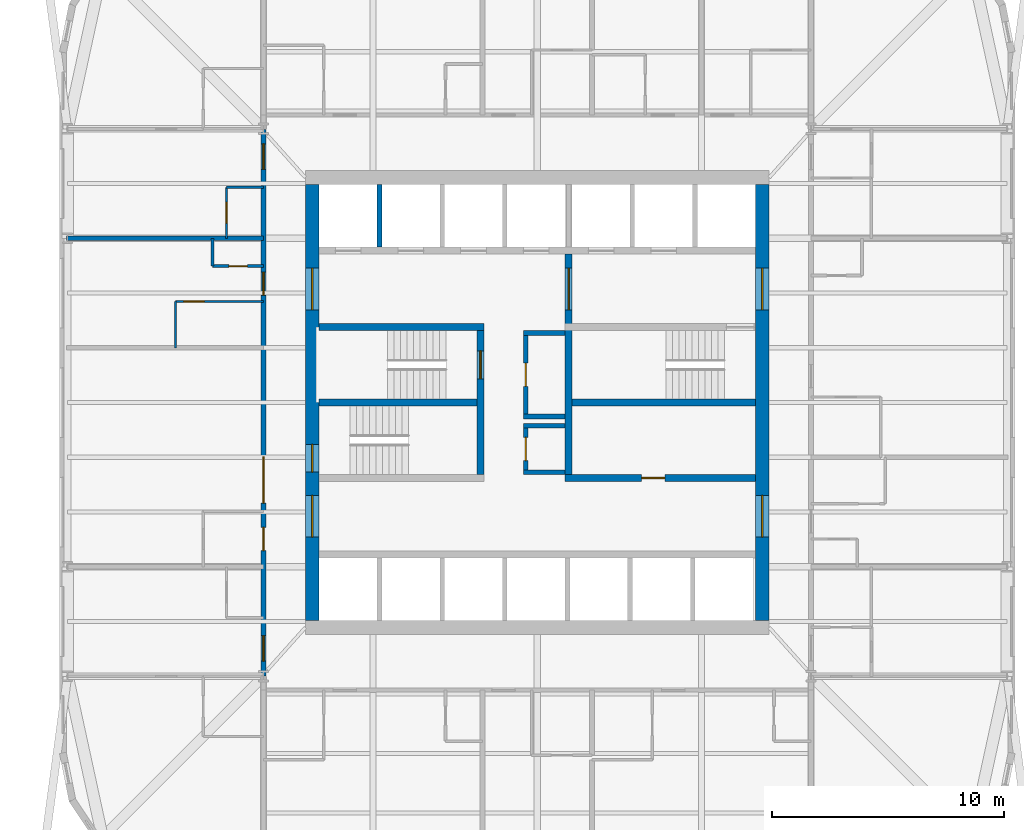
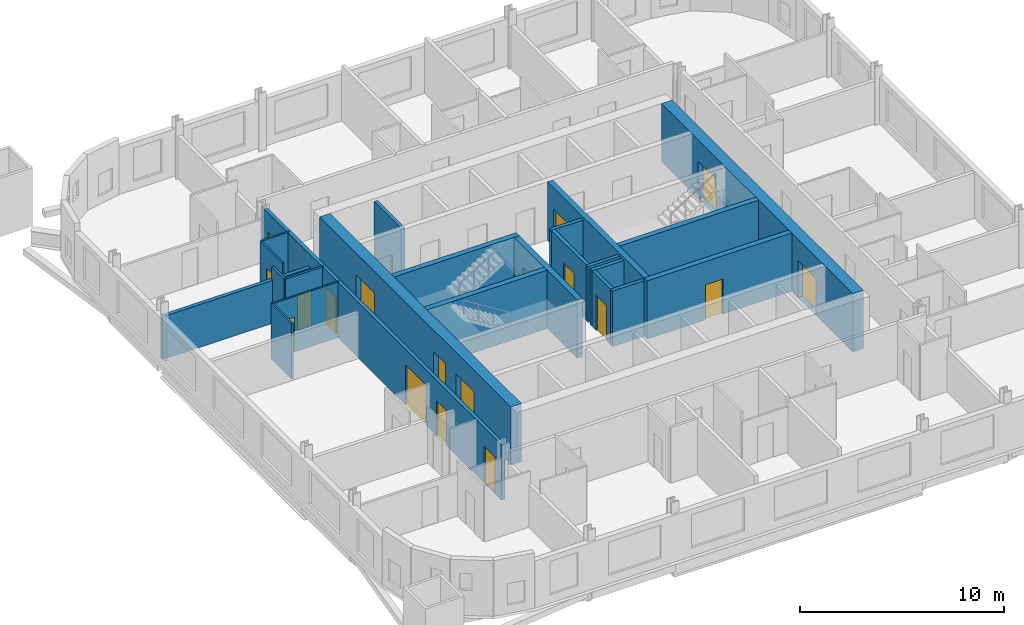
# One storey, part 4 of 9: 23 walls, 18 doors, 18 openings.
"""IFC4 building model written with IfcOpenShell, lengths in metres."""

from ifc_helpers import new_model, si_unit, direction, frame, frame_2d, origin, place, context, subcontext, project, spatial, rectangle, extrude, material, layer, layer_set, type_object, element, fill, save


model = new_model("IFC4")

# Units and contexts
model_context = context("Model", 3, precision=1e-05, world=origin(), true_north=direction((0.0, 1.0)))
body_context = subcontext(model_context, "Body", "Model", "MODEL_VIEW")
ifc_project = project(units=[si_unit("LENGTHUNIT", "METRE"), si_unit("AREAUNIT", "SQUARE_METRE"), si_unit("VOLUMEUNIT", "CUBIC_METRE"), si_unit("PLANEANGLEUNIT", "RADIAN"), si_unit("MASSUNIT", "GRAM", prefix="KILO")], contexts=[model_context])

# Site, building, storey
site_placement = place(None, origin())
site = spatial("IfcSite", under=ifc_project, at=site_placement, CompositionType="ELEMENT")
building_placement = place(site_placement, origin())
building = spatial("IfcBuilding", under=site, at=building_placement, Name="Turquesa Mirador Hotel Tower", CompositionType="ELEMENT")
storey_placement = place(building_placement, frame((0.0, 0.0, 96.89990234375)))
storey = spatial("IfcBuildingStorey", under=building, at=storey_placement, Name="L25", CompositionType="ELEMENT", Elevation=96.89990234375)

# Wall, opening, door
ifc_material_1 = material(Name="Gypsum board on steel studs", Category="steel")
ifc_layer_1 = layer(ifc_material_1, 0.10009765625)
ifc_layer_set_1 = layer_set([ifc_layer_1], Name="BATHROOM WALL 100")
wall_type_1 = type_object("IfcWallType", Name="BATHROOM WALL 100", PredefinedType="PARTITIONING", material=ifc_layer_set_1)
wall_1_placement = place(storey_placement, frame((39.39990234375, 49.360107421875, 0.0), z_axis=(0.0, 0.0, 1.0), x_axis=(1.0, 0.0, 0.0)))
wall_1 = element("IfcWall", 1, at=wall_1_placement, inside=storey, type_object=wall_type_1, Name="Partition L25 032", PredefinedType="PARTITIONING", context=body_context, shape_type="SweptSolid", body=[
    extrude(rectangle(XDim=3.800048828125, YDim=0.10009765625, at=frame_2d((1.89990234375, 0.0))), origin(), (0.0, 0.0, 1.0), 3.330078125),
])
opening_1_placement = place(wall_1_placement, frame((0.35009765625, 0.0, 0.0)))
opening_1 = element("IfcOpeningElement", 2, at=opening_1_placement, cuts=wall_1, Name="Opening D02", PredefinedType="OPENING", context=body_context, shape_type="SweptSolid", body=[
    extrude(rectangle(XDim=0.89990234375, YDim=2.10009765625, at=frame_2d((0.449951171875, 1.050048828125))), frame((0.0, 0.06005859375, 0.0), z_axis=(0.0, -1.0, 0.0), x_axis=(1.0, 0.0, 0.0)), (0.0, 0.0, 1.0), 0.1201171875),
])
ifc_material_2 = material(Name="Timber veneered door", Category="wood")
door_type_1 = type_object("IfcDoorType", Name="DOOR 900X2100 EN-SUITE", OperationType="SINGLE_SWING_RIGHT", PredefinedType="DOOR", material=ifc_material_2)
door_1_placement = place(opening_1_placement, origin())
door_1 = element("IfcDoor", 3, at=door_1_placement, inside=storey, type_object=door_type_1, Name="Door 2510B", OperationType="SINGLE_SWING_RIGHT", OverallHeight=2.10009765625, OverallWidth=0.89990234375, PredefinedType="DOOR", context=body_context, shape_type="SweptSolid", body=[
    extrude(rectangle(XDim=0.89990234375, YDim=2.10009765625, at=frame_2d((0.449951171875, 1.050048828125))), frame((0.0, 0.02490234375, 0.0), z_axis=(0.0, -1.0, 0.0), x_axis=(1.0, 0.0, 0.0)), (0.0, 0.0, 1.0), 0.050048828125),
])
fill(opening_1, door_1)

# Wall
wall_2_placement = place(storey_placement, frame((41.60009765625, 54.280029296875, 0.0), z_axis=(0.0, 0.0, 1.0), x_axis=(1.0, 0.0, 0.0)))
element("IfcWall", 4, at=wall_2_placement, inside=storey, type_object=wall_type_1, Name="Partition L25 037", PredefinedType="PARTITIONING", context=body_context, shape_type="SweptSolid", body=[
    extrude(rectangle(XDim=1.599853515625, YDim=0.10009765625, at=frame_2d((0.7998046875, 0.0))), origin(), (0.0, 0.0, 1.0), 3.330078125),
])

# Wall, opening, door
wall_3_placement = place(storey_placement, frame((41.60009765625, 52.080078125, 0.0), z_axis=(0.0, 0.0, 1.0), x_axis=(0.0, 1.0, 0.0)))
wall_3 = element("IfcWall", 5, at=wall_3_placement, inside=storey, type_object=wall_type_1, Name="Partition L25 045", PredefinedType="PARTITIONING", context=body_context, shape_type="SweptSolid", body=[
    extrude(rectangle(XDim=2.199951171875, YDim=0.10009765625, at=frame_2d((1.10009765625, 0.0))), origin(), (0.0, 0.0, 1.0), 3.330078125),
])
opening_2_placement = place(wall_3_placement, frame((0.64990234375, 0.0, 0.0)))
opening_2 = element("IfcOpeningElement", 6, at=opening_2_placement, cuts=wall_3, Name="Opening D06", PredefinedType="OPENING", context=body_context, shape_type="SweptSolid", body=[
    extrude(rectangle(XDim=0.89990234375, YDim=2.10009765625, at=frame_2d((0.449951171875, 1.050048828125))), frame((0.0, 0.06005859375, 0.0), z_axis=(0.0, -1.0, 0.0), x_axis=(1.0, 0.0, 0.0)), (0.0, 0.0, 1.0), 0.1201171875),
])
ifc_material_3 = material(Name="Laminate door", Category="wood")
door_type_2 = type_object("IfcDoorType", Name="DOOR 900X2100 WC", OperationType="SINGLE_SWING_LEFT", PredefinedType="DOOR", material=ifc_material_3)
door_2_placement = place(opening_2_placement, origin())
door_2 = element("IfcDoor", 7, at=door_2_placement, inside=storey, type_object=door_type_2, Name="Door 2512W", OperationType="SINGLE_SWING_LEFT", OverallHeight=2.10009765625, OverallWidth=0.89990234375, PredefinedType="DOOR", context=body_context, shape_type="SweptSolid", body=[
    extrude(rectangle(XDim=0.89990234375, YDim=2.10009765625, at=frame_2d((0.449951171875, 1.050048828125))), frame((0.0, 0.02490234375, 0.0), z_axis=(0.0, -1.0, 0.0), x_axis=(1.0, 0.0, 0.0)), (0.0, 0.0, 1.0), 0.050048828125),
])
fill(opening_2, door_2)

# Walls
wall_4_placement = place(storey_placement, frame((39.39990234375, 47.360107421875, 0.0), z_axis=(0.0, 0.0, 1.0), x_axis=(0.0, 1.0, 0.0)))
element("IfcWall", 8, at=wall_4_placement, inside=storey, type_object=wall_type_1, Name="Partition L25 050", PredefinedType="PARTITIONING", context=body_context, shape_type="SweptSolid", body=[
    extrude(rectangle(XDim=2.0, YDim=0.10009765625, at=frame_2d((1.0, 0.0))), origin(), (0.0, 0.0, 1.0), 3.330078125),
])
ifc_material_4 = material(Name="Concrete C50/60", Category="concrete")
ifc_layer_2 = layer(ifc_material_4, 0.300048828125)
ifc_layer_set_2 = layer_set([ifc_layer_2], Name="CORE INNER WALL 300")
wall_type_2 = type_object("IfcWallType", Name="CORE INNER WALL 300", PredefinedType="SHEAR", material=ifc_layer_set_2)
wall_5_placement = place(storey_placement, frame((45.60009765625, 48.25, 0.0), z_axis=(0.0, 0.0, 1.0), x_axis=(1.0, 0.0, 0.0)))
element("IfcWall", 9, at=wall_5_placement, inside=storey, type_object=wall_type_2, Name="Core wall MN-W", PredefinedType="SHEAR", context=body_context, shape_type="SweptSolid", body=[
    extrude(rectangle(XDim=7.099853515625, YDim=0.300048828125, at=frame_2d((3.5498046875, 0.0))), origin(), (0.0, 0.0, 1.0), 3.5),
])

# Wall, opening, door
wall_6_placement = place(storey_placement, frame((56.199951171875, 41.75, 0.0), z_axis=(0.0, 0.0, 1.0), x_axis=(1.0, 0.0, 0.0)))
wall_6 = element("IfcWall", 10, at=wall_6_placement, inside=storey, type_object=wall_type_2, Name="Core wall MS-E", PredefinedType="SHEAR", context=body_context, shape_type="SweptSolid", body=[
    extrude(rectangle(XDim=8.199951171875, YDim=0.300048828125, at=frame_2d((4.10009765625, 0.0))), origin(), (0.0, 0.0, 1.0), 3.5),
])
opening_3_placement = place(wall_6_placement, frame((3.300048828125, 0.0, 0.0)))
opening_3 = element("IfcOpeningElement", 11, at=opening_3_placement, cuts=wall_6, Name="Opening D05", PredefinedType="OPENING", context=body_context, shape_type="SweptSolid", body=[
    extrude(rectangle(XDim=1.0, YDim=2.10009765625, at=frame_2d((0.5, 1.050048828125))), frame((0.0, 0.159912109375, 0.0), z_axis=(0.0, -1.0, 0.0), x_axis=(1.0, 0.0, 0.0)), (0.0, 0.0, 1.0), 0.320068359375),
])
ifc_material_5 = material(Name="Steel fire door", Category="steel")
door_type_3 = type_object("IfcDoorType", Name="DOOR 1000X2100 SERVICE", OperationType="SINGLE_SWING_LEFT", PredefinedType="DOOR", material=ifc_material_5)
door_3_placement = place(opening_3_placement, origin())
door_3 = element("IfcDoor", 12, at=door_3_placement, inside=storey, type_object=door_type_3, Name="Housekeeping room door", OperationType="SINGLE_SWING_LEFT", OverallHeight=2.10009765625, OverallWidth=1.0, PredefinedType="DOOR", context=body_context, shape_type="SweptSolid", body=[
    extrude(rectangle(XDim=1.0, YDim=2.10009765625, at=frame_2d((0.5, 1.050048828125))), frame((0.0, 0.02490234375, 0.0), z_axis=(0.0, -1.0, 0.0), x_axis=(1.0, 0.0, 0.0)), (0.0, 0.0, 1.0), 0.050048828125),
])
fill(opening_3, door_3)

wall_7_placement = place(storey_placement, frame((52.550048828125, 41.89990234375, 0.0), z_axis=(0.0, 0.0, 1.0), x_axis=(0.0, 1.0, 0.0)))
wall_7 = element("IfcWall", 13, at=wall_7_placement, inside=storey, type_object=wall_type_2, Name="Core wall PW", PredefinedType="SHEAR", context=body_context, shape_type="SweptSolid", body=[
    extrude(rectangle(XDim=6.2001953125, YDim=0.300048828125, at=frame_2d((3.10009765625, 0.0))), origin(), (0.0, 0.0, 1.0), 3.5),
])
opening_4_placement = place(wall_7_placement, frame((4.125, 0.0, 0.0)))
opening_4 = element("IfcOpeningElement", 14, at=opening_4_placement, cuts=wall_7, Name="Opening D03", PredefinedType="OPENING", context=body_context, shape_type="SweptSolid", body=[
    extrude(rectangle(XDim=1.199951171875, YDim=2.199951171875, at=frame_2d((0.60009765625, 1.10009765625))), frame((0.0, 0.159912109375, 0.0), z_axis=(0.0, -1.0, 0.0), x_axis=(1.0, 0.0, 0.0)), (0.0, 0.0, 1.0), 0.320068359375),
])
ifc_material_6 = material(Name="Steel fire door", Category="steel")
door_type_4 = type_object("IfcDoorType", Name="DOOR 1200X2200 STAIR", OperationType="SINGLE_SWING_LEFT", PredefinedType="DOOR", material=ifc_material_6)
door_4_placement = place(opening_4_placement, origin())
door_4 = element("IfcDoor", 15, at=door_4_placement, inside=storey, type_object=door_type_4, Name="Stair ST1 door", OperationType="SINGLE_SWING_LEFT", OverallHeight=2.199951171875, OverallWidth=1.199951171875, PredefinedType="DOOR", context=body_context, shape_type="SweptSolid", body=[
    extrude(rectangle(XDim=1.199951171875, YDim=2.199951171875, at=frame_2d((0.60009765625, 1.10009765625))), frame((0.0, 0.02490234375, 0.0), z_axis=(0.0, -1.0, 0.0), x_axis=(1.0, 0.0, 0.0)), (0.0, 0.0, 1.0), 0.050048828125),
])
fill(opening_4, door_4)

wall_8_placement = place(storey_placement, frame((56.35009765625, 41.89990234375, 0.0), z_axis=(0.0, 0.0, 1.0), x_axis=(0.0, 1.0, 0.0)))
wall_8 = element("IfcWall", 16, at=wall_8_placement, inside=storey, type_object=wall_type_2, Name="Core wall PE", PredefinedType="SHEAR", context=body_context, shape_type="SweptSolid", body=[
    extrude(rectangle(XDim=9.5, YDim=0.300048828125, at=frame_2d((4.75, 0.0))), origin(), (0.0, 0.0, 1.0), 3.5),
])
opening_5_placement = place(wall_8_placement, frame((7.10009765625, 0.0, 0.0)))
opening_5 = element("IfcOpeningElement", 17, at=opening_5_placement, cuts=wall_8, Name="Opening D04", PredefinedType="OPENING", context=body_context, shape_type="SweptSolid", body=[
    extrude(rectangle(XDim=1.800048828125, YDim=2.199951171875, at=frame_2d((0.89990234375, 1.10009765625))), frame((0.0, 0.159912109375, 0.0), z_axis=(0.0, -1.0, 0.0), x_axis=(1.0, 0.0, 0.0)), (0.0, 0.0, 1.0), 0.320068359375),
])
ifc_material_7 = material(Name="Steel fire door pair", Category="steel")
door_type_5 = type_object("IfcDoorType", Name="DOOR 1800X2200 PAIR", OperationType="DOUBLE_DOOR_SINGLE_SWING", PredefinedType="DOOR", material=ifc_material_7)
door_5_placement = place(opening_5_placement, origin())
door_5 = element("IfcDoor", 18, at=door_5_placement, inside=storey, type_object=door_type_5, Name="Firefighting lobby inner door", OperationType="DOUBLE_DOOR_SINGLE_SWING", OverallHeight=2.199951171875, OverallWidth=1.800048828125, PredefinedType="DOOR", context=body_context, shape_type="SweptSolid", body=[
    extrude(rectangle(XDim=1.800048828125, YDim=2.199951171875, at=frame_2d((0.89990234375, 1.10009765625))), frame((0.0, 0.02490234375, 0.0), z_axis=(0.0, -1.0, 0.0), x_axis=(1.0, 0.0, 0.0)), (0.0, 0.0, 1.0), 0.050048828125),
])
fill(opening_5, door_5)

# Walls
wall_9_placement = place(storey_placement, frame((45.60009765625, 45.0, 0.0), z_axis=(0.0, 0.0, 1.0), x_axis=(1.0, 0.0, 0.0)))
element("IfcWall", 19, at=wall_9_placement, inside=storey, type_object=wall_type_2, Name="Core wall M0-W", PredefinedType="SHEAR", context=body_context, shape_type="SweptSolid", body=[
    extrude(rectangle(XDim=6.7998046875, YDim=0.300048828125, at=frame_2d((3.39990234375, 0.0))), origin(), (0.0, 0.0, 1.0), 3.5),
])
wall_10_placement = place(storey_placement, frame((56.5, 45.0, 0.0), z_axis=(0.0, 0.0, 1.0), x_axis=(1.0, 0.0, 0.0)))
element("IfcWall", 20, at=wall_10_placement, inside=storey, type_object=wall_type_2, Name="Core wall M0-E", PredefinedType="SHEAR", context=body_context, shape_type="SweptSolid", body=[
    extrude(rectangle(XDim=7.89990234375, YDim=0.300048828125, at=frame_2d((3.949951171875, 0.0))), origin(), (0.0, 0.0, 1.0), 3.5),
])

# Wall, openings, doors
ifc_material_8 = material(Name="Concrete C50/60", Category="concrete")
ifc_layer_3 = layer(ifc_material_8, 0.60009765625)
ifc_layer_set_3 = layer_set([ifc_layer_3], Name="CORE WALL 600")
wall_type_3 = type_object("IfcWallType", Name="CORE WALL 600", PredefinedType="SHEAR", material=ifc_layer_set_3)
wall_11_placement = place(storey_placement, frame((64.699951171875, 35.60009765625, 0.0), z_axis=(0.0, 0.0, 1.0), x_axis=(0.0, 1.0, 0.0)))
wall_11 = element("IfcWall", 21, at=wall_11_placement, inside=storey, type_object=wall_type_3, Name="Core wall E", PredefinedType="SHEAR", context=body_context, shape_type="SweptSolid", body=[
    extrude(rectangle(XDim=18.7998046875, YDim=0.60009765625, at=frame_2d((9.39990234375, 0.0))), origin(), (0.0, 0.0, 1.0), 3.5),
])
opening_6_placement = place(wall_11_placement, frame((13.39990234375, 0.0, 0.0)))
opening_6 = element("IfcOpeningElement", 22, at=opening_6_placement, cuts=wall_11, Name="Opening D04", PredefinedType="OPENING", context=body_context, shape_type="SweptSolid", body=[
    extrude(rectangle(XDim=1.800048828125, YDim=2.199951171875, at=frame_2d((0.89990234375, 1.10009765625))), frame((0.0, 0.31005859375, 0.0), z_axis=(0.0, -1.0, 0.0), x_axis=(1.0, 0.0, 0.0)), (0.0, 0.0, 1.0), 0.6201171875),
])
opening_7_placement = place(wall_11_placement, frame((3.60009765625, 0.0, 0.0)))
opening_7 = element("IfcOpeningElement", 23, at=opening_7_placement, cuts=wall_11, Name="Opening D04", PredefinedType="OPENING", context=body_context, shape_type="SweptSolid", body=[
    extrude(rectangle(XDim=1.800048828125, YDim=2.199951171875, at=frame_2d((0.89990234375, 1.10009765625))), frame((0.0, 0.31005859375, 0.0), z_axis=(0.0, -1.0, 0.0), x_axis=(1.0, 0.0, 0.0)), (0.0, 0.0, 1.0), 0.6201171875),
])
door_6_placement = place(opening_6_placement, origin())
door_6 = element("IfcDoor", 24, at=door_6_placement, inside=storey, type_object=door_type_5, Name="Firefighting lobby door", OperationType="DOUBLE_DOOR_SINGLE_SWING", OverallHeight=2.199951171875, OverallWidth=1.800048828125, PredefinedType="DOOR", context=body_context, shape_type="SweptSolid", body=[
    extrude(rectangle(XDim=1.800048828125, YDim=2.199951171875, at=frame_2d((0.89990234375, 1.10009765625))), frame((0.0, 0.02490234375, 0.0), z_axis=(0.0, -1.0, 0.0), x_axis=(1.0, 0.0, 0.0)), (0.0, 0.0, 1.0), 0.050048828125),
])
fill(opening_6, door_6)
door_7_placement = place(opening_7_placement, origin())
door_7 = element("IfcDoor", 25, at=door_7_placement, inside=storey, type_object=door_type_5, Name="South lift lobby door", OperationType="DOUBLE_DOOR_SINGLE_SWING", OverallHeight=2.199951171875, OverallWidth=1.800048828125, PredefinedType="DOOR", context=body_context, shape_type="SweptSolid", body=[
    extrude(rectangle(XDim=1.800048828125, YDim=2.199951171875, at=frame_2d((0.89990234375, 1.10009765625))), frame((0.0, 0.02490234375, 0.0), z_axis=(0.0, -1.0, 0.0), x_axis=(1.0, 0.0, 0.0)), (0.0, 0.0, 1.0), 0.050048828125),
])
fill(opening_7, door_7)

wall_12_placement = place(storey_placement, frame((45.300048828125, 35.60009765625, 0.0), z_axis=(0.0, 0.0, 1.0), x_axis=(0.0, 1.0, 0.0)))
wall_12 = element("IfcWall", 26, at=wall_12_placement, inside=storey, type_object=wall_type_3, Name="Core wall W", PredefinedType="SHEAR", context=body_context, shape_type="SweptSolid", body=[
    extrude(rectangle(XDim=18.7998046875, YDim=0.60009765625, at=frame_2d((9.39990234375, 0.0))), origin(), (0.0, 0.0, 1.0), 3.5),
])
opening_8_placement = place(wall_12_placement, frame((13.39990234375, 0.0, 0.0)))
opening_8 = element("IfcOpeningElement", 27, at=opening_8_placement, cuts=wall_12, Name="Opening D04", PredefinedType="OPENING", context=body_context, shape_type="SweptSolid", body=[
    extrude(rectangle(XDim=1.800048828125, YDim=2.199951171875, at=frame_2d((0.89990234375, 1.10009765625))), frame((0.0, 0.31005859375, 0.0), z_axis=(0.0, -1.0, 0.0), x_axis=(1.0, 0.0, 0.0)), (0.0, 0.0, 1.0), 0.6201171875),
])
opening_9_placement = place(wall_12_placement, frame((3.60009765625, 0.0, 0.0)))
opening_9 = element("IfcOpeningElement", 28, at=opening_9_placement, cuts=wall_12, Name="Opening D04", PredefinedType="OPENING", context=body_context, shape_type="SweptSolid", body=[
    extrude(rectangle(XDim=1.800048828125, YDim=2.199951171875, at=frame_2d((0.89990234375, 1.10009765625))), frame((0.0, 0.31005859375, 0.0), z_axis=(0.0, -1.0, 0.0), x_axis=(1.0, 0.0, 0.0)), (0.0, 0.0, 1.0), 0.6201171875),
])
opening_10_placement = place(wall_12_placement, frame((6.39990234375, 0.0, 0.0)))
opening_10 = element("IfcOpeningElement", 29, at=opening_10_placement, cuts=wall_12, Name="Opening D03", PredefinedType="OPENING", context=body_context, shape_type="SweptSolid", body=[
    extrude(rectangle(XDim=1.199951171875, YDim=2.199951171875, at=frame_2d((0.60009765625, 1.10009765625))), frame((0.0, 0.31005859375, 0.0), z_axis=(0.0, -1.0, 0.0), x_axis=(1.0, 0.0, 0.0)), (0.0, 0.0, 1.0), 0.6201171875),
])
door_8_placement = place(opening_10_placement, origin())
door_8 = element("IfcDoor", 30, at=door_8_placement, inside=storey, type_object=door_type_4, Name="Stair ST2 door", OperationType="SINGLE_SWING_LEFT", OverallHeight=2.199951171875, OverallWidth=1.199951171875, PredefinedType="DOOR", context=body_context, shape_type="SweptSolid", body=[
    extrude(rectangle(XDim=1.199951171875, YDim=2.199951171875, at=frame_2d((0.60009765625, 1.10009765625))), frame((0.0, 0.02490234375, 0.0), z_axis=(0.0, -1.0, 0.0), x_axis=(1.0, 0.0, 0.0)), (0.0, 0.0, 1.0), 0.050048828125),
])
fill(opening_10, door_8)
door_9_placement = place(opening_8_placement, origin())
door_9 = element("IfcDoor", 31, at=door_9_placement, inside=storey, type_object=door_type_5, Name="North lift lobby door", OperationType="DOUBLE_DOOR_SINGLE_SWING", OverallHeight=2.199951171875, OverallWidth=1.800048828125, PredefinedType="DOOR", context=body_context, shape_type="SweptSolid", body=[
    extrude(rectangle(XDim=1.800048828125, YDim=2.199951171875, at=frame_2d((0.89990234375, 1.10009765625))), frame((0.0, 0.02490234375, 0.0), z_axis=(0.0, -1.0, 0.0), x_axis=(1.0, 0.0, 0.0)), (0.0, 0.0, 1.0), 0.050048828125),
])
fill(opening_8, door_9)
door_10_placement = place(opening_9_placement, origin())
door_10 = element("IfcDoor", 32, at=door_10_placement, inside=storey, type_object=door_type_5, Name="South lift lobby door", OperationType="DOUBLE_DOOR_SINGLE_SWING", OverallHeight=2.199951171875, OverallWidth=1.800048828125, PredefinedType="DOOR", context=body_context, shape_type="SweptSolid", body=[
    extrude(rectangle(XDim=1.800048828125, YDim=2.199951171875, at=frame_2d((0.89990234375, 1.10009765625))), frame((0.0, 0.02490234375, 0.0), z_axis=(0.0, -1.0, 0.0), x_axis=(1.0, 0.0, 0.0)), (0.0, 0.0, 1.0), 0.050048828125),
])
fill(opening_9, door_10)

ifc_material_9 = material(Name="Fire-rated gypsum board on steel studs", Category="steel")
ifc_layer_4 = layer(ifc_material_9, 0.199951171875)
ifc_layer_set_4 = layer_set([ifc_layer_4], Name="CORRIDOR WALL 200")
wall_type_4 = type_object("IfcWallType", Name="CORRIDOR WALL 200", PredefinedType="PARTITIONING", material=ifc_layer_set_4)
wall_13_placement = place(storey_placement, frame((43.199951171875, 33.219970703125, 0.0), z_axis=(0.0, 0.0, 1.0), x_axis=(0.0, 1.0, 0.0)))
wall_13 = element("IfcWall", 33, at=wall_13_placement, inside=storey, type_object=wall_type_4, Name="Partition L25 041", PredefinedType="PARTITIONING", context=body_context, shape_type="SweptSolid", body=[
    extrude(rectangle(XDim=23.56005859375, YDim=0.199951171875, at=frame_2d((11.780029296875, 0.0))), origin(), (0.0, 0.0, 1.0), 3.330078125),
])
opening_11_placement = place(wall_13_placement, frame((16.39990234375, 0.0, 0.0)))
opening_11 = element("IfcOpeningElement", 34, at=opening_11_placement, cuts=wall_13, Name="Opening D01", PredefinedType="OPENING", context=body_context, shape_type="SweptSolid", body=[
    extrude(rectangle(XDim=1.0, YDim=2.199951171875, at=frame_2d((0.5, 1.10009765625))), frame((0.0, 0.10986328125, 0.0), z_axis=(0.0, -1.0, 0.0), x_axis=(1.0, 0.0, 0.0)), (0.0, 0.0, 1.0), 0.219970703125),
])
opening_12_placement = place(wall_13_placement, frame((21.830078125, 0.0, 0.0)))
opening_12 = element("IfcOpeningElement", 35, at=opening_12_placement, cuts=wall_13, Name="Opening D15", PredefinedType="OPENING", context=body_context, shape_type="SweptSolid", body=[
    extrude(rectangle(XDim=1.10009765625, YDim=2.199951171875, at=frame_2d((0.550048828125, 1.10009765625))), frame((0.0, 0.10986328125, 0.0), z_axis=(0.0, -1.0, 0.0), x_axis=(1.0, 0.0, 0.0)), (0.0, 0.0, 1.0), 0.219970703125),
])
opening_13_placement = place(wall_13_placement, frame((0.6298828125, 0.0, 0.0)))
opening_13 = element("IfcOpeningElement", 36, at=opening_13_placement, cuts=wall_13, Name="Opening D15", PredefinedType="OPENING", context=body_context, shape_type="SweptSolid", body=[
    extrude(rectangle(XDim=1.10009765625, YDim=2.199951171875, at=frame_2d((0.550048828125, 1.10009765625))), frame((0.0, 0.10986328125, 0.0), z_axis=(0.0, -1.0, 0.0), x_axis=(1.0, 0.0, 0.0)), (0.0, 0.0, 1.0), 0.219970703125),
])
opening_14_placement = place(wall_13_placement, frame((7.449951171875, 0.0, 0.0)))
opening_14 = element("IfcOpeningElement", 37, at=opening_14_placement, cuts=wall_13, Name="Opening D18", PredefinedType="OPENING", context=body_context, shape_type="SweptSolid", body=[
    extrude(rectangle(XDim=2.0, YDim=2.39990234375, at=frame_2d((1.0, 1.199951171875))), frame((0.0, 0.10986328125, 0.0), z_axis=(0.0, -1.0, 0.0), x_axis=(1.0, 0.0, 0.0)), (0.0, 0.0, 1.0), 0.219970703125),
])
opening_15_placement = place(wall_13_placement, frame((5.39990234375, 0.0, 0.0)))
opening_15 = element("IfcOpeningElement", 38, at=opening_15_placement, cuts=wall_13, Name="Opening D05", PredefinedType="OPENING", context=body_context, shape_type="SweptSolid", body=[
    extrude(rectangle(XDim=1.0, YDim=2.10009765625, at=frame_2d((0.5, 1.050048828125))), frame((0.0, 0.10986328125, 0.0), z_axis=(0.0, -1.0, 0.0), x_axis=(1.0, 0.0, 0.0)), (0.0, 0.0, 1.0), 0.219970703125),
])
door_11_placement = place(opening_15_placement, origin())
door_11 = element("IfcDoor", 39, at=door_11_placement, inside=storey, type_object=door_type_3, Name="Door L25-LGP-1", OperationType="SINGLE_SWING_LEFT", OverallHeight=2.10009765625, OverallWidth=1.0, PredefinedType="DOOR", context=body_context, shape_type="SweptSolid", body=[
    extrude(rectangle(XDim=1.0, YDim=2.10009765625, at=frame_2d((0.5, 1.050048828125))), frame((0.0, 0.02490234375, 0.0), z_axis=(0.0, -1.0, 0.0), x_axis=(1.0, 0.0, 0.0)), (0.0, 0.0, 1.0), 0.050048828125),
])
fill(opening_15, door_11)
ifc_material_10 = material(Name="Timber veneered fire door", Category="wood")
door_type_6 = type_object("IfcDoorType", Name="DOOR 1000X2200 GUEST ENTRY", OperationType="SINGLE_SWING_LEFT", PredefinedType="DOOR", material=ifc_material_10)
door_12_placement = place(opening_11_placement, origin())
door_12 = element("IfcDoor", 40, at=door_12_placement, inside=storey, type_object=door_type_6, Name="Door 2510", OperationType="SINGLE_SWING_LEFT", OverallHeight=2.199951171875, OverallWidth=1.0, PredefinedType="DOOR", context=body_context, shape_type="SweptSolid", body=[
    extrude(rectangle(XDim=1.0, YDim=2.199951171875, at=frame_2d((0.5, 1.10009765625))), frame((0.0, 0.02490234375, 0.0), z_axis=(0.0, -1.0, 0.0), x_axis=(1.0, 0.0, 0.0)), (0.0, 0.0, 1.0), 0.050048828125),
])
fill(opening_11, door_12)
ifc_material_11 = material(Name="Timber veneered fire door", Category="wood")
door_type_7 = type_object("IfcDoorType", Name="DOOR 1100X2200 SUITE ENTRY", OperationType="SINGLE_SWING_LEFT", PredefinedType="DOOR", material=ifc_material_11)
door_13_placement = place(opening_12_placement, origin())
door_13 = element("IfcDoor", 41, at=door_13_placement, inside=storey, type_object=door_type_7, Name="Door 2512", OperationType="SINGLE_SWING_LEFT", OverallHeight=2.199951171875, OverallWidth=1.10009765625, PredefinedType="DOOR", context=body_context, shape_type="SweptSolid", body=[
    extrude(rectangle(XDim=1.10009765625, YDim=2.199951171875, at=frame_2d((0.550048828125, 1.10009765625))), frame((0.0, 0.02490234375, 0.0), z_axis=(0.0, -1.0, 0.0), x_axis=(1.0, 0.0, 0.0)), (0.0, 0.0, 1.0), 0.050048828125),
])
fill(opening_12, door_13)
door_14_placement = place(opening_13_placement, origin())
door_14 = element("IfcDoor", 42, at=door_14_placement, inside=storey, type_object=door_type_7, Name="Door 2513", OperationType="SINGLE_SWING_LEFT", OverallHeight=2.199951171875, OverallWidth=1.10009765625, PredefinedType="DOOR", context=body_context, shape_type="SweptSolid", body=[
    extrude(rectangle(XDim=1.10009765625, YDim=2.199951171875, at=frame_2d((0.550048828125, 1.10009765625))), frame((0.0, 0.02490234375, 0.0), z_axis=(0.0, -1.0, 0.0), x_axis=(1.0, 0.0, 0.0)), (0.0, 0.0, 1.0), 0.050048828125),
])
fill(opening_13, door_14)
ifc_material_12 = material(Name="Timber veneered fire door pair", Category="wood")
door_type_8 = type_object("IfcDoorType", Name="DOOR 2000X2400 LOUNGE PAIR", OperationType="DOUBLE_DOOR_SINGLE_SWING", PredefinedType="DOOR", material=ifc_material_12)
door_15_placement = place(opening_14_placement, origin())
door_15 = element("IfcDoor", 43, at=door_15_placement, inside=storey, type_object=door_type_8, Name="Door L25-LG", OperationType="DOUBLE_DOOR_SINGLE_SWING", OverallHeight=2.39990234375, OverallWidth=2.0, PredefinedType="DOOR", context=body_context, shape_type="SweptSolid", body=[
    extrude(rectangle(XDim=2.0, YDim=2.39990234375, at=frame_2d((1.0, 1.199951171875))), frame((0.0, 0.02490234375, 0.0), z_axis=(0.0, -1.0, 0.0), x_axis=(1.0, 0.0, 0.0)), (0.0, 0.0, 1.0), 0.050048828125),
])
fill(opening_14, door_15)

# Wall, opening, door
ifc_material_13 = material(Name="Fire-rated gypsum board on steel studs", Category="steel")
ifc_layer_5 = layer(ifc_material_13, 0.199951171875)
ifc_layer_set_5 = layer_set([ifc_layer_5], Name="FIRE PARTITION 200")
wall_type_5 = type_object("IfcWallType", Name="FIRE PARTITION 200", PredefinedType="PARTITIONING", material=ifc_layer_set_5)
wall_14_placement = place(storey_placement, frame((54.5, 42.0, 0.0), z_axis=(0.0, 0.0, 1.0), x_axis=(0.0, 1.0, 0.0)))
wall_14 = element("IfcWall", 44, at=wall_14_placement, inside=storey, type_object=wall_type_5, Name="Partition L25 BO W", PredefinedType="PARTITIONING", context=body_context, shape_type="SweptSolid", body=[
    extrude(rectangle(XDim=2.0, YDim=0.199951171875, at=frame_2d((1.0, 0.0))), origin(), (0.0, 0.0, 1.0), 3.330078125),
])
opening_16_placement = place(wall_14_placement, frame((0.5, 0.0, 0.0)))
opening_16 = element("IfcOpeningElement", 45, at=opening_16_placement, cuts=wall_14, Name="Opening D05", PredefinedType="OPENING", context=body_context, shape_type="SweptSolid", body=[
    extrude(rectangle(XDim=1.0, YDim=2.10009765625, at=frame_2d((0.5, 1.050048828125))), frame((0.0, 0.10986328125, 0.0), z_axis=(0.0, -1.0, 0.0), x_axis=(1.0, 0.0, 0.0)), (0.0, 0.0, 1.0), 0.219970703125),
])
door_16_placement = place(opening_16_placement, origin())
door_16 = element("IfcDoor", 46, at=door_16_placement, inside=storey, type_object=door_type_3, Name="Butler's pantry door", OperationType="SINGLE_SWING_LEFT", OverallHeight=2.10009765625, OverallWidth=1.0, PredefinedType="DOOR", context=body_context, shape_type="SweptSolid", body=[
    extrude(rectangle(XDim=1.0, YDim=2.10009765625, at=frame_2d((0.5, 1.050048828125))), frame((0.0, 0.02490234375, 0.0), z_axis=(0.0, -1.0, 0.0), x_axis=(1.0, 0.0, 0.0)), (0.0, 0.0, 1.0), 0.050048828125),
])
fill(opening_16, door_16)

# Walls
for number, where, z_axis, x_axis, name in (
    (47, (54.39990234375, 42.0, 0.0), (0.0, 0.0, 1.0), (1.0, 0.0, 0.0), "Partition L25 BO S"),
    (48, (54.39990234375, 44.0, 0.0), (0.0, 0.0, 1.0), (1.0, 0.0, 0.0), "Partition L25 BO N"),
):
    element("IfcWall", number, at=place(storey_placement, frame(where, z_axis=z_axis, x_axis=x_axis)), inside=storey, type_object=wall_type_5, Name=name, PredefinedType="PARTITIONING", context=body_context, shape_type="SweptSolid", body=[
        extrude(rectangle(XDim=1.800048828125, YDim=0.199951171875, at=frame_2d((0.89990234375, 0.0))), origin(), (0.0, 0.0, 1.0), 3.330078125),
    ])

# Wall, opening, door
wall_15_placement = place(storey_placement, frame((54.5, 44.39990234375, 0.0), z_axis=(0.0, 0.0, 1.0), x_axis=(0.0, 1.0, 0.0)))
wall_15 = element("IfcWall", 49, at=wall_15_placement, inside=storey, type_object=wall_type_5, Name="Partition L25 BP W", PredefinedType="PARTITIONING", context=body_context, shape_type="SweptSolid", body=[
    extrude(rectangle(XDim=3.60009765625, YDim=0.199951171875, at=frame_2d((1.800048828125, 0.0))), origin(), (0.0, 0.0, 1.0), 3.330078125),
])
opening_17_placement = place(wall_15_placement, frame((1.300048828125, 0.0, 0.0)))
opening_17 = element("IfcOpeningElement", 50, at=opening_17_placement, cuts=wall_15, Name="Opening D05", PredefinedType="OPENING", context=body_context, shape_type="SweptSolid", body=[
    extrude(rectangle(XDim=1.0, YDim=2.10009765625, at=frame_2d((0.5, 1.050048828125))), frame((0.0, 0.10986328125, 0.0), z_axis=(0.0, -1.0, 0.0), x_axis=(1.0, 0.0, 0.0)), (0.0, 0.0, 1.0), 0.219970703125),
])
door_17_placement = place(opening_17_placement, origin())
door_17 = element("IfcDoor", 51, at=door_17_placement, inside=storey, type_object=door_type_3, Name="Lounge pantry door", OperationType="SINGLE_SWING_LEFT", OverallHeight=2.10009765625, OverallWidth=1.0, PredefinedType="DOOR", context=body_context, shape_type="SweptSolid", body=[
    extrude(rectangle(XDim=1.0, YDim=2.10009765625, at=frame_2d((0.5, 1.050048828125))), frame((0.0, 0.02490234375, 0.0), z_axis=(0.0, -1.0, 0.0), x_axis=(1.0, 0.0, 0.0)), (0.0, 0.0, 1.0), 0.050048828125),
])
fill(opening_17, door_17)

# Walls
for number, where, z_axis, x_axis, name in (
    (52, (54.39990234375, 44.39990234375, 0.0), (0.0, 0.0, 1.0), (1.0, 0.0, 0.0), "Partition L25 BP S"),
    (53, (54.39990234375, 48.0, 0.0), (0.0, 0.0, 1.0), (1.0, 0.0, 0.0), "Partition L25 BP N"),
):
    element("IfcWall", number, at=place(storey_placement, frame(where, z_axis=z_axis, x_axis=x_axis)), inside=storey, type_object=wall_type_5, Name=name, PredefinedType="PARTITIONING", context=body_context, shape_type="SweptSolid", body=[
        extrude(rectangle(XDim=1.800048828125, YDim=0.199951171875, at=frame_2d((0.89990234375, 0.0))), origin(), (0.0, 0.0, 1.0), 3.330078125),
    ])
ifc_material_14 = material(Name="Fire-rated gypsum shaft wall on steel studs", Category="steel")
ifc_layer_6 = layer(ifc_material_14, 0.199951171875)
ifc_layer_set_6 = layer_set([ifc_layer_6], Name="LIFT SHAFT DIVIDER 200")
wall_type_6 = type_object("IfcWallType", Name="LIFT SHAFT DIVIDER 200", PredefinedType="PARTITIONING", material=ifc_layer_set_6)
wall_16_placement = place(storey_placement, frame((48.199951171875, 51.699951171875, 0.0), z_axis=(0.0, 0.0, 1.0), x_axis=(0.0, 1.0, 0.0)))
element("IfcWall", 54, at=wall_16_placement, inside=storey, type_object=wall_type_6, Name="Lift shaft divider", PredefinedType="PARTITIONING", context=body_context, shape_type="SweptSolid", body=[
    extrude(rectangle(XDim=2.699951171875, YDim=0.199951171875, at=frame_2d((1.35009765625, 0.0))), origin(), (0.0, 0.0, 1.0), 3.330078125),
])
ifc_material_15 = material(Name="Fire-rated gypsum board on steel studs", Category="steel")
ifc_layer_7 = layer(ifc_material_15, 0.199951171875)
ifc_layer_set_7 = layer_set([ifc_layer_7], Name="PARTY WALL 200")
wall_type_7 = type_object("IfcWallType", Name="PARTY WALL 200", PredefinedType="PARTITIONING", material=ifc_layer_set_7)
wall_17_placement = place(storey_placement, frame((34.699951171875, 52.080078125, 0.0), z_axis=(0.0, 0.0, 1.0), x_axis=(1.0, 0.0, 0.0)))
element("IfcWall", 55, at=wall_17_placement, inside=storey, type_object=wall_type_7, Name="Partition L25 035", PredefinedType="PARTITIONING", context=body_context, shape_type="SweptSolid", body=[
    extrude(rectangle(XDim=8.5, YDim=0.199951171875, at=frame_2d((4.25, 0.0))), origin(), (0.0, 0.0, 1.0), 2.5732421875),
])

# Wall, opening, door
ifc_material_16 = material(Name="Acoustic gypsum board on steel studs", Category="steel")
ifc_layer_8 = layer(ifc_material_16, 0.125)
ifc_layer_set_8 = layer_set([ifc_layer_8], Name="SUITE PARTITION 125")
wall_type_8 = type_object("IfcWallType", Name="SUITE PARTITION 125", PredefinedType="PARTITIONING", material=ifc_layer_set_8)
wall_18_placement = place(storey_placement, frame((41.0, 50.8798828125, 0.0), z_axis=(0.0, 0.0, 1.0), x_axis=(1.0, 0.0, 0.0)))
wall_18 = element("IfcWall", 56, at=wall_18_placement, inside=storey, type_object=wall_type_8, Name="Partition L25 034", PredefinedType="PARTITIONING", context=body_context, shape_type="SweptSolid", body=[
    extrude(rectangle(XDim=2.199951171875, YDim=0.125, at=frame_2d((1.10009765625, 0.0))), origin(), (0.0, 0.0, 1.0), 3.330078125),
])
opening_18_placement = place(wall_18_placement, frame((0.699951171875, 0.0, 0.0)))
opening_18 = element("IfcOpeningElement", 57, at=opening_18_placement, cuts=wall_18, Name="Opening D20", PredefinedType="OPENING", context=body_context, shape_type="SweptSolid", body=[
    extrude(rectangle(XDim=0.800048828125, YDim=2.10009765625, at=frame_2d((0.39990234375, 1.050048828125))), frame((0.0, 0.072509765625, 0.0), z_axis=(0.0, -1.0, 0.0), x_axis=(1.0, 0.0, 0.0)), (0.0, 0.0, 1.0), 0.14501953125),
])
ifc_material_17 = material(Name="Timber veneered sliding door", Category="wood")
door_type_9 = type_object("IfcDoorType", Name="DOOR 800X2100 WARDROBE", OperationType="SLIDING_TO_LEFT", PredefinedType="DOOR", material=ifc_material_17)
door_18_placement = place(opening_18_placement, origin())
door_18 = element("IfcDoor", 58, at=door_18_placement, inside=storey, type_object=door_type_9, Name="Door 2510W", OperationType="SLIDING_TO_LEFT", OverallHeight=2.10009765625, OverallWidth=0.800048828125, PredefinedType="DOOR", context=body_context, shape_type="SweptSolid", body=[
    extrude(rectangle(XDim=0.800048828125, YDim=2.10009765625, at=frame_2d((0.39990234375, 1.050048828125))), frame((0.0, 0.02490234375, 0.0), z_axis=(0.0, -1.0, 0.0), x_axis=(1.0, 0.0, 0.0)), (0.0, 0.0, 1.0), 0.050048828125),
])
fill(opening_18, door_18)

# Wall
wall_19_placement = place(storey_placement, frame((41.0, 50.8798828125, 0.0), z_axis=(0.0, 0.0, 1.0), x_axis=(0.0, 1.0, 0.0)))
element("IfcWall", 59, at=wall_19_placement, inside=storey, type_object=wall_type_8, Name="Partition L25 046", PredefinedType="PARTITIONING", context=body_context, shape_type="SweptSolid", body=[
    extrude(rectangle(XDim=1.2001953125, YDim=0.125, at=frame_2d((0.60009765625, 0.0))), origin(), (0.0, 0.0, 1.0), 3.330078125),
])

save(model, "model.ifc")
